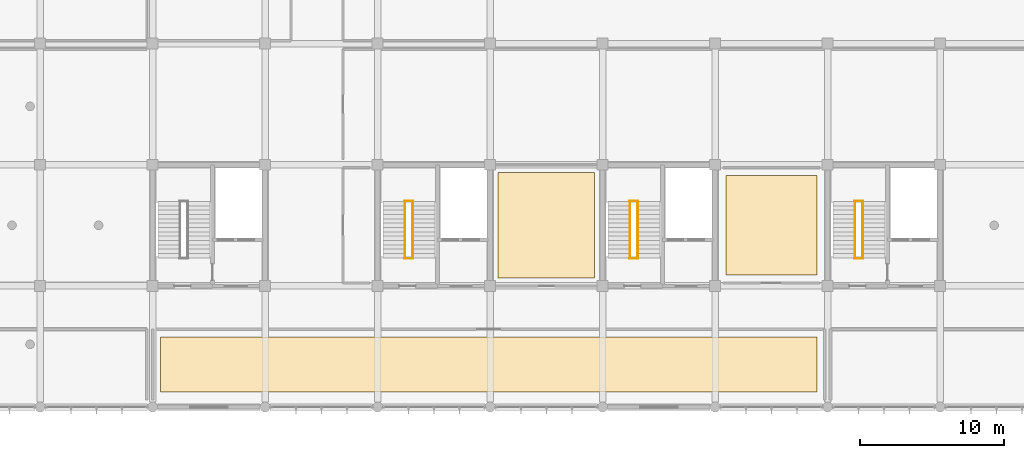
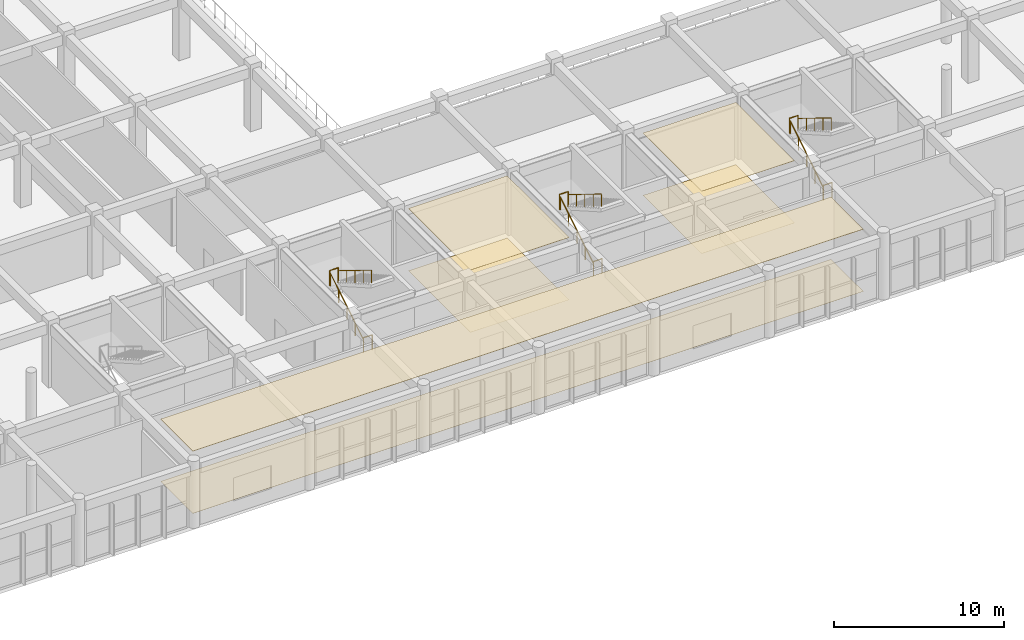
# One storey, part 163 of 167: 12 railings, 6 coverings.
"""IFC4 building model written with IfcOpenShell, lengths in metres."""

from ifc_helpers import new_model, si_unit, direction, frame, origin, origin_2d, place, context, subcontext, project, spatial, polyline, circle, hollow_circle, outline, extrude, material, layer, layer_set, material_profile, profile_set, type_object, element, save


model = new_model("IFC4")

# Units and contexts
model_context = context("Model", 3, precision=1e-05, world=origin(), true_north=direction((0.0, 1.0)))
body_context = subcontext(model_context, "Body", "Model", "MODEL_VIEW")
ifc_project = project(units=[si_unit("LENGTHUNIT", "METRE"), si_unit("AREAUNIT", "SQUARE_METRE"), si_unit("VOLUMEUNIT", "CUBIC_METRE"), si_unit("PLANEANGLEUNIT", "RADIAN"), si_unit("MASSUNIT", "GRAM", prefix="KILO")], contexts=[model_context])

# Site, building, storey
site_placement = place(None, origin())
site = spatial("IfcSite", under=ifc_project, at=site_placement, CompositionType="ELEMENT")
building_placement = place(site_placement, origin())
building = spatial("IfcBuilding", under=site, at=building_placement, Name="Zizhar Promenade General Hospital", CompositionType="ELEMENT")
storey_placement = place(building_placement, frame((0.0, 0.0, 9.60009765625)))
storey = spatial("IfcBuildingStorey", under=building, at=storey_placement, Name="L02", CompositionType="ELEMENT", Elevation=9.60009765625)

# Coverings
ifc_material_1 = material(Name="Hygienic acoustic mineral ceiling tile")
ifc_layer_1 = layer(ifc_material_1, 0.02001953125)
ifc_layer_set_1 = layer_set([ifc_layer_1], Name="Hygienic acoustic mineral ceiling tile")
covering_type_1 = type_object("IfcCoveringType", Name="COV-CLG-ACOUST-20", PredefinedType="CEILING", material=ifc_layer_set_1)
covering_1_placement = place(storey_placement, frame((0.0, 0.0, 4.4599609375)))
element("IfcCovering", 1, at=covering_1_placement, inside=storey, type_object=covering_type_1, Name="Accessible Public and Staff Toilet L02 Hygienic Ceiling", PredefinedType="CEILING", context=body_context, shape_type="SweptSolid", body=[
    extrude(outline(polyline([(70.75, 8.949951171875), (77.449951171875, 8.949951171875), (77.449951171875, 16.25), (70.75, 16.25), (70.75, 8.949951171875)])), origin(), (0.0, 0.0, 1.0), 0.02001953125),
])
covering_2_placement = place(storey_placement, frame((0.0, 0.0, 4.4599609375)))
element("IfcCovering", 2, at=covering_2_placement, inside=storey, type_object=covering_type_1, Name="ICU Central Monitoring and Clean Utility L02 Hygienic Ceiling", PredefinedType="CEILING", context=body_context, shape_type="SweptSolid", body=[
    extrude(outline(polyline([(86.550048828125, 9.14990234375), (92.85009765625, 9.14990234375), (92.85009765625, 16.050048828125), (86.550048828125, 16.050048828125), (86.550048828125, 9.14990234375)])), origin(), (0.0, 0.0, 1.0), 0.02001953125),
])
ifc_material_2 = material(Name="Acoustic cleanroom metal ceiling panel")
ifc_layer_2 = layer(ifc_material_2, 0.02490234375)
ifc_layer_set_2 = layer_set([ifc_layer_2], Name="Acoustic cleanroom metal ceiling panel")
covering_type_2 = type_object("IfcCoveringType", Name="COV-CLG-CLEAN-25", PredefinedType="CEILING", material=ifc_layer_set_2)
covering_3_placement = place(storey_placement, frame((0.0, 0.0, 4.454833984375)))
element("IfcCovering", 3, at=covering_3_placement, inside=storey, type_object=covering_type_2, Name="Adult Intensive Care Unit East Hygienic Ceiling", PredefinedType="CEILING", context=body_context, shape_type="SweptSolid", body=[
    extrude(outline(polyline([(47.35009765625, 1.050048828125), (92.85009765625, 1.050048828125), (92.85009765625, 4.85009765625), (47.35009765625, 4.85009765625), (47.35009765625, 1.050048828125)])), origin(), (0.0, 0.0, 1.0), 0.025146484375),
])
ifc_material_3 = material(Name="Seamless antimicrobial vinyl flooring")
ifc_layer_3 = layer(ifc_material_3, 0.008056640625)
ifc_layer_set_3 = layer_set([ifc_layer_3], Name="Seamless antimicrobial vinyl flooring")
covering_type_3 = type_object("IfcCoveringType", Name="COV-FLR-VINYL-08", PredefinedType="FLOORING", material=ifc_layer_set_3)
covering_4_placement = place(storey_placement, origin())
element("IfcCovering", 4, at=covering_4_placement, inside=storey, type_object=covering_type_3, Name="Accessible Public and Staff Toilet L02 Clinical Flooring", PredefinedType="FLOORING", context=body_context, shape_type="SweptSolid", body=[
    extrude(outline(polyline([(70.75, 8.949951171875), (77.449951171875, 8.949951171875), (77.449951171875, 16.25), (70.75, 16.25), (70.75, 8.949951171875)])), origin(), (0.0, 0.0, 1.0), 0.0078125),
])
covering_5_placement = place(storey_placement, origin())
element("IfcCovering", 5, at=covering_5_placement, inside=storey, type_object=covering_type_3, Name="Adult Intensive Care Unit East Clinical Flooring", PredefinedType="FLOORING", context=body_context, shape_type="SweptSolid", body=[
    extrude(outline(polyline([(47.35009765625, 1.050048828125), (92.85009765625, 1.050048828125), (92.85009765625, 4.85009765625), (47.35009765625, 4.85009765625), (47.35009765625, 1.050048828125)])), origin(), (0.0, 0.0, 1.0), 0.0078125),
])
covering_6_placement = place(storey_placement, origin())
element("IfcCovering", 6, at=covering_6_placement, inside=storey, type_object=covering_type_3, Name="ICU Central Monitoring and Clean Utility L02 Clinical Flooring", PredefinedType="FLOORING", context=body_context, shape_type="SweptSolid", body=[
    extrude(outline(polyline([(86.550048828125, 9.14990234375), (92.85009765625, 9.14990234375), (92.85009765625, 16.050048828125), (86.550048828125, 16.050048828125), (86.550048828125, 9.14990234375)])), origin(), (0.0, 0.0, 1.0), 0.0078125),
])

# Railings
ifc_material_4 = material(Name="Anodised aluminium 6063-T6", Category="aluminium")
ifc_material_profile_1 = material_profile(ifc_material_4, hollow_circle(Radius=0.06982421875, WallThickness=0.00634765625, at=origin_2d()))
ifc_profile_set_1 = profile_set([ifc_material_profile_1], Name="Anodised aluminium 6063-T6")
railing_type_1 = type_object("IfcRailingType", Name="RL-HANDRAIL-920", PredefinedType="HANDRAIL", material=ifc_profile_set_1)
railing_1_placement = place(storey_placement, frame((64.300048828125, 10.35009765625, 0.0)))
element("IfcRailing", 7, at=railing_1_placement, inside=storey, type_object=railing_type_1, Name="Stair ST-03 Flight 1 Handrail (L02)", PredefinedType="HANDRAIL", context=body_context, shape_type="SweptSolid", body=[
    extrude(circle(Radius=0.02392578125, at=origin_2d()), frame((0.0, 0.0, 0.89599609375), z_axis=(0.0, 0.851661977835, 0.524091476281), x_axis=(-1.0, 0.0, 0.0)), (0.0, 0.0, 1.0), 4.5791015625),
    extrude(circle(Radius=0.02099609375, at=origin_2d()), origin(), (0.0, 0.0, 1.0), 0.871826171875),
    extrude(circle(Radius=0.02099609375, at=origin_2d()), frame((0.0, 0.97509765625, 0.60009765625)), (0.0, 0.0, 1.0), 0.871826171875),
    extrude(circle(Radius=0.02099609375, at=origin_2d()), frame((0.0, 1.949951171875, 1.199951171875)), (0.0, 0.0, 1.0), 0.871826171875),
    extrude(circle(Radius=0.02099609375, at=origin_2d()), frame((0.0, 2.9248046875, 1.7998046875)), (0.0, 0.0, 1.0), 0.871826171875),
    extrude(circle(Radius=0.02099609375, at=origin_2d()), frame((0.0, 3.89990234375, 2.39990234375)), (0.0, 0.0, 1.0), 0.871826171875),
])
railing_2_placement = place(storey_placement, frame((64.840087890625, 14.25, 2.39990234375)))
element("IfcRailing", 8, at=railing_2_placement, inside=storey, type_object=railing_type_1, Name="Stair ST-03 Flight 2 Handrail (L02)", PredefinedType="HANDRAIL", context=body_context, shape_type="SweptSolid", body=[
    extrude(circle(Radius=0.02392578125, at=origin_2d()), frame((0.0, 0.0, 0.89599609375), z_axis=(0.0, -0.851661977835, 0.524091476281), x_axis=(1.0, 0.0, 0.0)), (0.0, 0.0, 1.0), 4.5791015625),
    extrude(circle(Radius=0.02099609375, at=origin_2d()), origin(), (0.0, 0.0, 1.0), 0.871826171875),
    extrude(circle(Radius=0.02099609375, at=origin_2d()), frame((0.0, -0.97509765625, 0.60009765625)), (0.0, 0.0, 1.0), 0.871826171875),
    extrude(circle(Radius=0.02099609375, at=origin_2d()), frame((0.0, -1.949951171875, 1.199951171875)), (0.0, 0.0, 1.0), 0.871826171875),
    extrude(circle(Radius=0.02099609375, at=origin_2d()), frame((0.0, -2.9248046875, 1.7998046875)), (0.0, 0.0, 1.0), 0.871826171875),
    extrude(circle(Radius=0.02099609375, at=origin_2d()), frame((0.0, -3.89990234375, 2.39990234375)), (0.0, 0.0, 1.0), 0.871826171875),
])
railing_3_placement = place(storey_placement, frame((79.89990234375, 10.35009765625, 0.0)))
element("IfcRailing", 9, at=railing_3_placement, inside=storey, type_object=railing_type_1, Name="Stair ST-04 Flight 1 Handrail (L02)", PredefinedType="HANDRAIL", context=body_context, shape_type="SweptSolid", body=[
    extrude(circle(Radius=0.02392578125, at=origin_2d()), frame((0.0, 0.0, 0.89599609375), z_axis=(0.0, 0.851661977835, 0.524091476281), x_axis=(-1.0, 0.0, 0.0)), (0.0, 0.0, 1.0), 4.5791015625),
    extrude(circle(Radius=0.02099609375, at=origin_2d()), origin(), (0.0, 0.0, 1.0), 0.871826171875),
    extrude(circle(Radius=0.02099609375, at=origin_2d()), frame((0.0, 0.97509765625, 0.60009765625)), (0.0, 0.0, 1.0), 0.871826171875),
    extrude(circle(Radius=0.02099609375, at=origin_2d()), frame((0.0, 1.949951171875, 1.199951171875)), (0.0, 0.0, 1.0), 0.871826171875),
    extrude(circle(Radius=0.02099609375, at=origin_2d()), frame((0.0, 2.9248046875, 1.7998046875)), (0.0, 0.0, 1.0), 0.871826171875),
    extrude(circle(Radius=0.02099609375, at=origin_2d()), frame((0.0, 3.89990234375, 2.39990234375)), (0.0, 0.0, 1.0), 0.871826171875),
])
railing_4_placement = place(storey_placement, frame((80.43994140625, 14.25, 2.39990234375)))
element("IfcRailing", 10, at=railing_4_placement, inside=storey, type_object=railing_type_1, Name="Stair ST-04 Flight 2 Handrail (L02)", PredefinedType="HANDRAIL", context=body_context, shape_type="SweptSolid", body=[
    extrude(circle(Radius=0.02392578125, at=origin_2d()), frame((0.0, 0.0, 0.89599609375), z_axis=(0.0, -0.851661977835, 0.524091476281), x_axis=(1.0, 0.0, 0.0)), (0.0, 0.0, 1.0), 4.5791015625),
    extrude(circle(Radius=0.02099609375, at=origin_2d()), origin(), (0.0, 0.0, 1.0), 0.871826171875),
    extrude(circle(Radius=0.02099609375, at=origin_2d()), frame((0.0, -0.97509765625, 0.60009765625)), (0.0, 0.0, 1.0), 0.871826171875),
    extrude(circle(Radius=0.02099609375, at=origin_2d()), frame((0.0, -1.949951171875, 1.199951171875)), (0.0, 0.0, 1.0), 0.871826171875),
    extrude(circle(Radius=0.02099609375, at=origin_2d()), frame((0.0, -2.9248046875, 1.7998046875)), (0.0, 0.0, 1.0), 0.871826171875),
    extrude(circle(Radius=0.02099609375, at=origin_2d()), frame((0.0, -3.89990234375, 2.39990234375)), (0.0, 0.0, 1.0), 0.871826171875),
])
railing_5_placement = place(storey_placement, frame((95.5, 10.35009765625, 0.0)))
element("IfcRailing", 11, at=railing_5_placement, inside=storey, type_object=railing_type_1, Name="Stair ST-05 Flight 1 Handrail (L02)", PredefinedType="HANDRAIL", context=body_context, shape_type="SweptSolid", body=[
    extrude(circle(Radius=0.02392578125, at=origin_2d()), frame((0.0, 0.0, 0.89599609375), z_axis=(0.0, 0.851661977835, 0.524091476281), x_axis=(-1.0, 0.0, 0.0)), (0.0, 0.0, 1.0), 4.5791015625),
    extrude(circle(Radius=0.02099609375, at=origin_2d()), origin(), (0.0, 0.0, 1.0), 0.871826171875),
    extrude(circle(Radius=0.02099609375, at=origin_2d()), frame((0.0, 0.97509765625, 0.60009765625)), (0.0, 0.0, 1.0), 0.871826171875),
    extrude(circle(Radius=0.02099609375, at=origin_2d()), frame((0.0, 1.949951171875, 1.199951171875)), (0.0, 0.0, 1.0), 0.871826171875),
    extrude(circle(Radius=0.02099609375, at=origin_2d()), frame((0.0, 2.9248046875, 1.7998046875)), (0.0, 0.0, 1.0), 0.871826171875),
    extrude(circle(Radius=0.02099609375, at=origin_2d()), frame((0.0, 3.89990234375, 2.39990234375)), (0.0, 0.0, 1.0), 0.871826171875),
])
railing_6_placement = place(storey_placement, frame((96.0400390625, 14.25, 2.39990234375)))
element("IfcRailing", 12, at=railing_6_placement, inside=storey, type_object=railing_type_1, Name="Stair ST-05 Flight 2 Handrail (L02)", PredefinedType="HANDRAIL", context=body_context, shape_type="SweptSolid", body=[
    extrude(circle(Radius=0.02392578125, at=origin_2d()), frame((0.0, 0.0, 0.89599609375), z_axis=(0.0, -0.851661977835, 0.524091476281), x_axis=(1.0, 0.0, 0.0)), (0.0, 0.0, 1.0), 4.5791015625),
    extrude(circle(Radius=0.02099609375, at=origin_2d()), origin(), (0.0, 0.0, 1.0), 0.871826171875),
    extrude(circle(Radius=0.02099609375, at=origin_2d()), frame((0.0, -0.97509765625, 0.60009765625)), (0.0, 0.0, 1.0), 0.871826171875),
    extrude(circle(Radius=0.02099609375, at=origin_2d()), frame((0.0, -1.949951171875, 1.199951171875)), (0.0, 0.0, 1.0), 0.871826171875),
    extrude(circle(Radius=0.02099609375, at=origin_2d()), frame((0.0, -2.9248046875, 1.7998046875)), (0.0, 0.0, 1.0), 0.871826171875),
    extrude(circle(Radius=0.02099609375, at=origin_2d()), frame((0.0, -3.89990234375, 2.39990234375)), (0.0, 0.0, 1.0), 0.871826171875),
])
ifc_material_5 = material(Name="Steel S355", Category="steel")
ifc_material_profile_2 = material_profile(ifc_material_5, hollow_circle(Radius=0.06982421875, WallThickness=0.00634765625, at=origin_2d()))
ifc_profile_set_2 = profile_set([ifc_material_profile_2], Name="Steel S355")
railing_type_2 = type_object("IfcRailingType", Name="RL-STAIR-GUARD-1100", PredefinedType="GUARDRAIL", material=ifc_profile_set_2)
for number, where, name in (
    (13, (64.280029296875, 14.2900390625, 2.39990234375), "Stair ST-03 Half-Landing Guard (L02)"),
    (14, (64.280029296875, 10.31005859375, 0.0), "Stair ST-03 Landing Well Guard (L02)"),
    (15, (79.8798828125, 14.2900390625, 2.39990234375), "Stair ST-04 Half-Landing Guard (L02)"),
    (16, (79.8798828125, 10.31005859375, 0.0), "Stair ST-04 Landing Well Guard (L02)"),
    (17, (95.47998046875, 14.2900390625, 2.39990234375), "Stair ST-05 Half-Landing Guard (L02)"),
    (18, (95.47998046875, 10.31005859375, 0.0), "Stair ST-05 Landing Well Guard (L02)"),
):
    element("IfcRailing", number, at=place(storey_placement, frame(where)), inside=storey, type_object=railing_type_2, Name=name, PredefinedType="GUARDRAIL", context=body_context, shape_type="SweptSolid", body=[
        extrude(circle(Radius=0.02392578125, at=origin_2d()), frame((0.0, 0.0, 1.076171875), z_axis=(1.0, 0.0, 0.0), x_axis=(0.0, 1.0, 0.0)), (0.0, 0.0, 1.0), 0.580078125),
        extrude(circle(Radius=0.02099609375, at=origin_2d()), origin(), (0.0, 0.0, 1.0), 1.052001953125),
        extrude(circle(Radius=0.02099609375, at=origin_2d()), frame((0.580078125, 0.0, 0.0)), (0.0, 0.0, 1.0), 1.052001953125),
    ])

save(model, "model.ifc")
